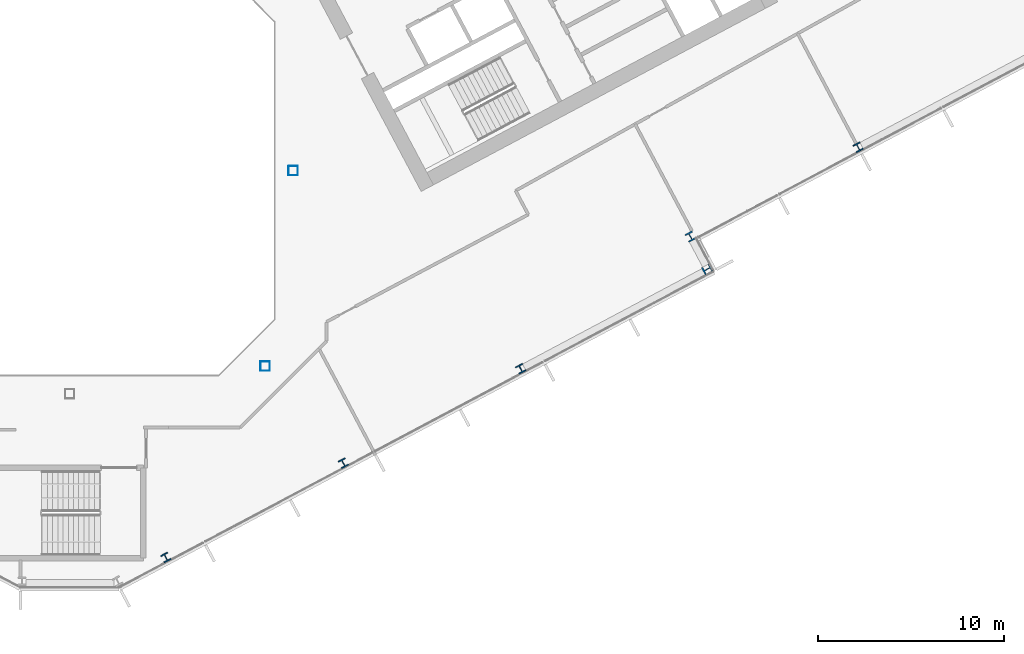
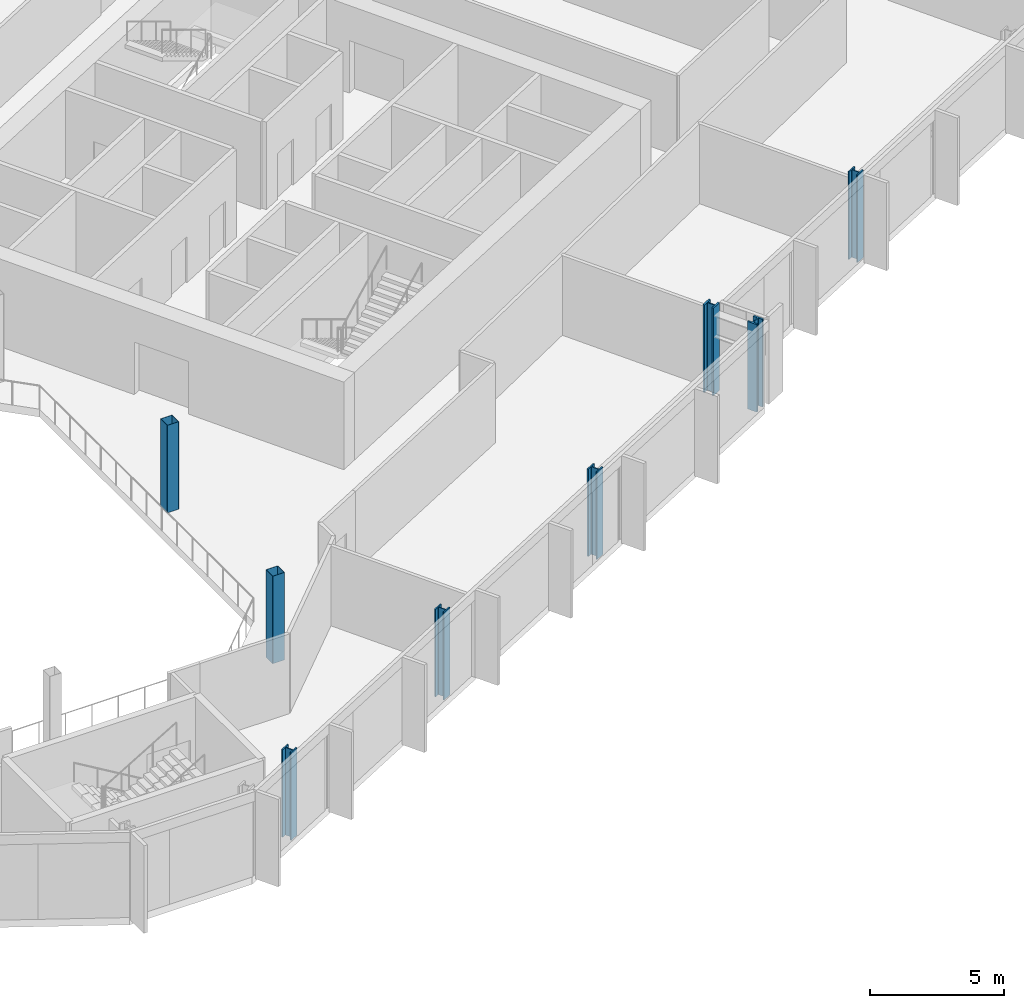
# One storey, part 5 of 28: 8 columns.
"""IFC4 building model written with IfcOpenShell, lengths in metres."""

import ifcopenshell
import ifcopenshell.guid

model = None  # the IFC model being written
_history = None  # IfcOwnerHistory: only IFC2X3 demands one
_inside = {}  # id of a spatial element -> (the spatial element, [elements in it])
_under = {}  # id of a project, library or spatial element -> (it, [spatial elements below it])
_declared = {}  # id of a project -> (the project, [libraries it declares])
_typed = {}  # id of a type object -> (the type object, [elements of that type])
_made_of = {}  # id of a material, layer set ... -> (it, [elements and type objects made of it])


def new_model(schema):
    """Start an empty IFC model of exactly this schema.

    Asked for "IFC4X3", IfcOpenShell would pick the latest addendum, in which some entities
    have other attributes; the version numbers below select the first issue.
    IFC2X3 requires an IfcOwnerHistory on every rooted entity: one is made here for all.
    """
    global model, _history
    if schema == "IFC4X3":
        model = ifcopenshell.file(schema_version=(4, 3, 0, 0))
    else:
        model = ifcopenshell.file(schema=schema)
    _inside.clear()
    _under.clear()
    _declared.clear()
    _typed.clear()
    _made_of.clear()
    _history = None
    if model.schema == "IFC2X3":
        org = make("IfcOrganization", Name="unknown")
        user = make(
            "IfcPersonAndOrganization",
            ThePerson=make("IfcPerson", FamilyName="unknown"),
            TheOrganization=org,
        )
        app = make(
            "IfcApplication",
            ApplicationDeveloper=org,
            Version="unknown",
            ApplicationFullName="unknown",
            ApplicationIdentifier="unknown",
        )
        _history = make(
            "IfcOwnerHistory",
            OwningUser=user,
            OwningApplication=app,
            ChangeAction="ADDED",
            CreationDate=0,
        )
    return model


def make(cls, **values):
    """One entity of the class cls with the attributes given. An attribute that is None is left unset."""
    return model.create_entity(
        cls, **{name: value for name, value in values.items() if value is not None}
    )


def rooted(cls, **values):
    """An entity with a GlobalId (a new one), such as an element, a storey or a relation."""
    return make(cls, GlobalId=ifcopenshell.guid.new(), OwnerHistory=_history, **values)


def si_unit(unit_type, name, prefix=None):
    """IfcSIUnit, for example si_unit("LENGTHUNIT", "METRE", prefix="MILLI")."""
    return make("IfcSIUnit", UnitType=unit_type, Prefix=prefix, Name=name)


def assignment(units):
    """IfcUnitAssignment: the units of a project."""
    return None if units is None else make("IfcUnitAssignment", Units=units)


def point(xyz):
    """IfcCartesianPoint."""
    return None if xyz is None else make("IfcCartesianPoint", Coordinates=xyz)


def direction(xyz):
    """IfcDirection."""
    return None if xyz is None else make("IfcDirection", DirectionRatios=xyz)


def frame(location, z_axis=None, x_axis=None):
    """IfcAxis2Placement3D, a coordinate frame: its origin and axes. An axis left out is left unset."""
    return make(
        "IfcAxis2Placement3D",
        Location=point(location),
        Axis=direction(z_axis),
        RefDirection=direction(x_axis),
    )


def frame_2d(location, x_axis=None):
    """IfcAxis2Placement2D, a coordinate frame in the plane: its origin and x axis."""
    return make(
        "IfcAxis2Placement2D", Location=point(location), RefDirection=direction(x_axis)
    )


def origin():
    """The frame at (0, 0, 0) with its axes left unset."""
    return frame((0.0, 0.0, 0.0))


def origin_2d():
    """The frame at (0, 0) in the plane with its x axis left unset."""
    return frame_2d((0.0, 0.0))


def place(relative_to, where):
    """IfcLocalPlacement: puts the frame where relative to a parent placement (None: the world)."""
    return make(
        "IfcLocalPlacement", PlacementRelTo=relative_to, RelativePlacement=where
    )


def context(
    kind, dimensions, precision=None, world=None, true_north=None, identifier=None
):
    """IfcGeometricRepresentationContext, for example the 3D "Model" context."""
    return make(
        "IfcGeometricRepresentationContext",
        ContextIdentifier=identifier,
        ContextType=kind,
        CoordinateSpaceDimension=dimensions,
        Precision=precision,
        WorldCoordinateSystem=world,
        TrueNorth=true_north,
    )


def subcontext(parent, identifier, kind, view, scale=None):
    """IfcGeometricRepresentationSubContext, for example "Body" below "Model"."""
    return make(
        "IfcGeometricRepresentationSubContext",
        ContextIdentifier=identifier,
        ContextType=kind,
        ParentContext=parent,
        TargetScale=scale,
        TargetView=view,
    )


def project(units=None, contexts=None):
    """IfcProject with its units and contexts."""
    return rooted(
        "IfcProject",
        Name="project",
        RepresentationContexts=contexts,
        UnitsInContext=assignment(units),
    )


def spatial(cls, under=None, at=None, **own):
    """A site, building, storey or space (cls), placed at a placement, below another one or the project."""
    s = rooted(cls, ObjectPlacement=at, **own)
    if under is not None:
        _under.setdefault(under.id(), (under, []))[1].append(s)
    return s


def profile(cls, at=None, kind="AREA", **sizes):
    """A parametric profile (cls). Its sizes go by their IFC names, for example OverallWidth=200.0."""
    return make(cls, ProfileType=kind, Position=at, **sizes)


def hollow_rectangle(**sizes):
    """IfcRectangleHollowProfileDef."""
    return profile("IfcRectangleHollowProfileDef", **sizes)


def i_section(**sizes):
    """IfcIShapeProfileDef."""
    return profile("IfcIShapeProfileDef", **sizes)


def extrude(swept, where, along, depth):
    """IfcExtrudedAreaSolid: the profile swept, set in the frame where, extruded along a direction by depth."""
    return make(
        "IfcExtrudedAreaSolid",
        SweptArea=swept,
        Position=where,
        ExtrudedDirection=direction(along),
        Depth=depth,
    )


def shape(context_of_items, identifier, shape_type, items):
    """IfcShapeRepresentation: the items that make up one representation, for example the "Body"."""
    return make(
        "IfcShapeRepresentation",
        ContextOfItems=context_of_items,
        RepresentationIdentifier=identifier,
        RepresentationType=shape_type,
        Items=items,
    )


def material(Name=None, Category=None):
    """IfcMaterial."""
    return make("IfcMaterial", Name=Name, Category=Category)


def material_profile(
    of_material, cross_section, Name=None, Category=None, Priority=None
):
    """IfcMaterialProfile: a cross section and its material."""
    return make(
        "IfcMaterialProfile",
        Name=Name,
        Material=of_material,
        Profile=cross_section,
        Priority=Priority,
        Category=Category,
    )


def profile_set(profiles, Name=None, composite=None):
    """IfcMaterialProfileSet."""
    return make(
        "IfcMaterialProfileSet",
        Name=Name,
        MaterialProfiles=profiles,
        CompositeProfile=composite,
    )


def made_of(thing, what):
    """Note that an element or type object is made of a material, layer set ...; save() writes the relation."""
    if what is not None:
        _made_of.setdefault(what.id(), (what, []))[1].append(thing)
    return thing


def type_object(cls, material=None, **own):
    """A type object (cls), such as IfcWallType, which elements share."""
    return made_of(rooted(cls, **own), material)


def element(
    cls,
    number,
    at=None,
    inside=None,
    cuts=None,
    type_object=None,
    material=None,
    context=None,
    identifier="Body",
    shape_type=None,
    held_by="IfcProductDefinitionShape",
    body=None,
    shapes=None,
    **own,
):
    """One element of the class cls, such as IfcWall. Its Tag is "e" and its number.

    at: its placement. inside: the storey or other place that contains it. cuts: it is an
    opening in that element (IfcRelVoidsElement). A single representation is given by context,
    identifier, shape_type and body (its items); several are given by shapes. held_by: the class
    of the entity that holds the representations. save() writes the other relations.
    """
    e = rooted(cls, Tag="e%d" % number, ObjectPlacement=at, **own)
    if body is not None:
        shapes = [shape(context, identifier, shape_type, body)]
    if shapes is not None:
        e.Representation = make(held_by, Representations=shapes)
    if inside is not None:
        _inside.setdefault(inside.id(), (inside, []))[1].append(e)
    if cuts is not None:
        rooted(
            "IfcRelVoidsElement", RelatingBuildingElement=cuts, RelatedOpeningElement=e
        )
    if type_object is not None:
        _typed.setdefault(type_object.id(), (type_object, []))[1].append(e)
    return made_of(e, material)


def aggregate(whole, parts):
    """IfcRelAggregates: a whole, such as a stair, and the parts it consists of."""
    return rooted("IfcRelAggregates", RelatingObject=whole, RelatedObjects=parts)


def save(model, path):
    """Write the relations noted so far, then the file.

    IfcRelAggregates (storeys below a building ...), IfcRelContainedInSpatialStructure (elements
    in a storey), IfcRelDefinesByType, IfcRelAssociatesMaterial and IfcRelDeclares: one each for
    every whole, place, type object, material and project.
    """
    for whole, parts in _under.values():
        aggregate(whole, parts)
    for where, things in _inside.values():
        rooted(
            "IfcRelContainedInSpatialStructure",
            RelatedElements=things,
            RelatingStructure=where,
        )
    for kind, things in _typed.values():
        rooted("IfcRelDefinesByType", RelatedObjects=things, RelatingType=kind)
    for what, things in _made_of.values():
        rooted("IfcRelAssociatesMaterial", RelatedObjects=things, RelatingMaterial=what)
    for by, libraries in _declared.values():
        rooted("IfcRelDeclares", RelatingContext=by, RelatedDefinitions=libraries)
    model.write(path)


model = new_model("IFC4")

# Units and contexts
model_context = context("Model", 3, precision=1e-05, world=origin(), true_north=direction((0.0, 1.0)))
body_context = subcontext(model_context, "Body", "Model", "MODEL_VIEW")
ifc_project = project(units=[si_unit("LENGTHUNIT", "METRE"), si_unit("AREAUNIT", "SQUARE_METRE"), si_unit("VOLUMEUNIT", "CUBIC_METRE"), si_unit("PLANEANGLEUNIT", "RADIAN"), si_unit("MASSUNIT", "GRAM", prefix="KILO")], contexts=[model_context])

# Site, building, storey
site_placement = place(None, origin())
site = spatial("IfcSite", under=ifc_project, at=site_placement, CompositionType="ELEMENT")
building_placement = place(site_placement, origin())
building = spatial("IfcBuilding", under=site, at=building_placement, Name="Cormorant Relay Tower", CompositionType="ELEMENT")
storey_placement = place(building_placement, frame((0.0, 0.0, 122.199951171875)))
storey = spatial("IfcBuildingStorey", under=building, at=storey_placement, Name="L24", CompositionType="ELEMENT", Elevation=122.199951171875)

# Columns
ifc_material_1 = material(Name="Steel ASTM A500 Grade C (Fy 345 MPa)", Category="steel")
ifc_material_profile_1 = material_profile(ifc_material_1, hollow_rectangle(XDim=0.508056640625, YDim=0.508056640625, WallThickness=0.01171875, InnerFilletRadius=0.005859375, OuterFilletRadius=0.017822265625, at=origin_2d()), Name="HSS508x508x12")
ifc_profile_set_1 = profile_set([ifc_material_profile_1], Name="Steel ASTM A500 Grade C (Fy 345 MPa)")
column_type_1 = type_object("IfcColumnType", Name="Column HSS508x508x12", PredefinedType="COLUMN", material=ifc_profile_set_1)
for number, where, z_axis, x_axis, name in (
    (1, (10.5, -10.5, 0.0), (0.0, 0.0, 1.0), (1.0, 0.0, 0.0), "Column L24-010"),
    (2, (12.0, 0.0, 0.0), (0.0, 0.0, 1.0), (1.0, 0.0, 0.0), "Column L24-016"),
):
    element("IfcColumn", number, at=place(storey_placement, frame(where, z_axis=z_axis, x_axis=x_axis)), inside=storey, type_object=column_type_1, Name=name, PredefinedType="COLUMN", context=body_context, shape_type="SweptSolid", body=[
        extrude(hollow_rectangle(XDim=0.508056640625, YDim=0.508056640625, WallThickness=0.01171875, InnerFilletRadius=0.005859375, OuterFilletRadius=0.017822265625, at=origin_2d()), origin(), (0.0, 0.0, 1.0), 4.0),
    ])
ifc_material_2 = material(Name="Steel ASTM A992 (Fy 345 MPa)", Category="steel")
ifc_material_profile_2 = material_profile(ifc_material_2, i_section(OverallWidth=0.41162109375, OverallDepth=0.434326171875, WebThickness=0.035888671875, FlangeThickness=0.057373046875, FilletRadius=0.01513671875, at=origin_2d()), Name="W360x463")
ifc_profile_set_2 = profile_set([ifc_material_profile_2], Name="Steel ASTM A992 (Fy 345 MPa)")
column_type_2 = type_object("IfcColumnType", Name="Column W360x463", PredefinedType="COLUMN", material=ifc_profile_set_2)
for number, where, z_axis, x_axis, name in (
    (3, (5.1640625, -20.7890625, 0.0), (0.0, 0.0, 1.0), (0.882947592859, 0.469471562786, 0.0), "Column L24-003"),
    (4, (14.699951171875, -15.718994140625, 0.0), (0.0, 0.0, 1.0), (0.882947592859, 0.469471562786, 0.0), "Column L24-005"),
    (5, (24.236083984375, -10.64794921875, 0.0), (0.0, 0.0, 1.0), (0.882947592859, 0.469471562786, 0.0), "Column L24-008"),
    (6, (42.368896484375, 1.258056640625, 0.0), (0.0, 0.0, 1.0), (0.882947592859, 0.469471562786, 0.0), "Column L24-017"),
):
    element("IfcColumn", number, at=place(storey_placement, frame(where, z_axis=z_axis, x_axis=x_axis)), inside=storey, type_object=column_type_2, Name=name, PredefinedType="COLUMN", context=body_context, shape_type="SweptSolid", body=[
        extrude(i_section(OverallWidth=0.41162109375, OverallDepth=0.434326171875, WebThickness=0.035888671875, FlangeThickness=0.057373046875, FilletRadius=0.01513671875, at=origin_2d()), origin(), (0.0, 0.0, 1.0), 4.0),
    ])
ifc_material_3 = material(Name="Steel ASTM A992 (Fy 345 MPa)", Category="steel")
ifc_material_profile_3 = material_profile(ifc_material_3, i_section(OverallWidth=0.42431640625, OverallDepth=0.47509765625, WebThickness=0.0478515625, FlangeThickness=0.0771484375, FilletRadius=0.014892578125, at=origin_2d()), Name="W360x634")
ifc_profile_set_3 = profile_set([ifc_material_profile_3], Name="Steel ASTM A992 (Fy 345 MPa)")
column_type_3 = type_object("IfcColumnType", Name="Column W360x634", PredefinedType="COLUMN", material=ifc_profile_set_3)
for number, where, z_axis, x_axis, name in (
    (7, (34.256103515625, -5.297119140625, 0.0), (0.0, 0.0, 1.0), (-0.469471562786, 0.882947592859, 0.0), "Column L24-012"),
    (8, (33.35595703125, -3.54296875, 0.0), (0.0, 0.0, 1.0), (0.882947592859, 0.469471562786, 0.0), "Column L24-014"),
):
    element("IfcColumn", number, at=place(storey_placement, frame(where, z_axis=z_axis, x_axis=x_axis)), inside=storey, type_object=column_type_3, Name=name, PredefinedType="COLUMN", context=body_context, shape_type="SweptSolid", body=[
        extrude(i_section(OverallWidth=0.42431640625, OverallDepth=0.47509765625, WebThickness=0.0478515625, FlangeThickness=0.0771484375, FilletRadius=0.014892578125, at=origin_2d()), origin(), (0.0, 0.0, 1.0), 4.0),
    ])

save(model, "model.ifc")
